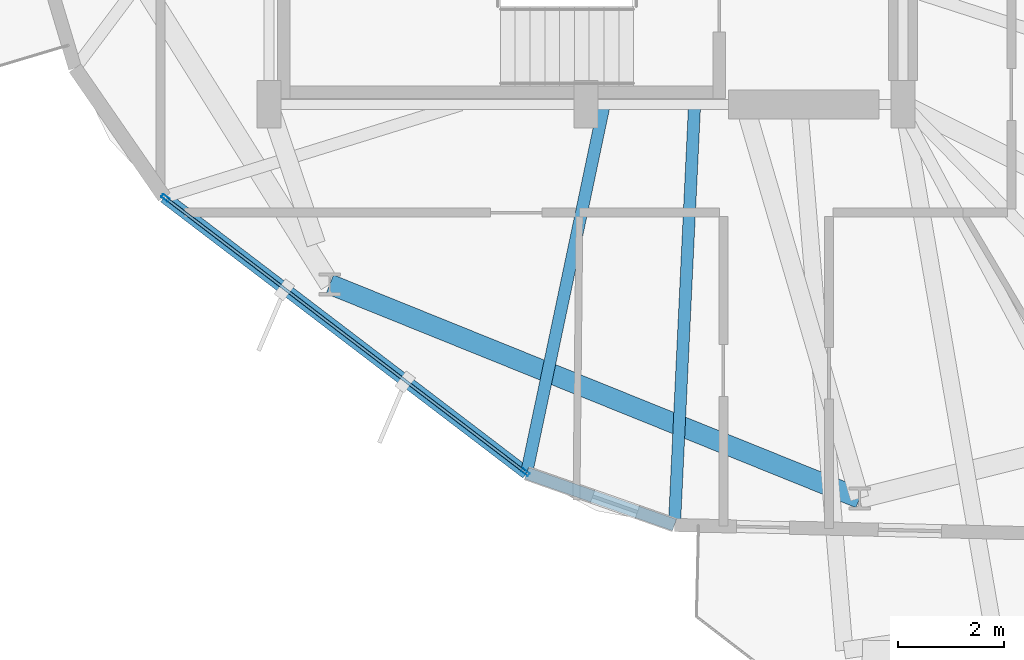
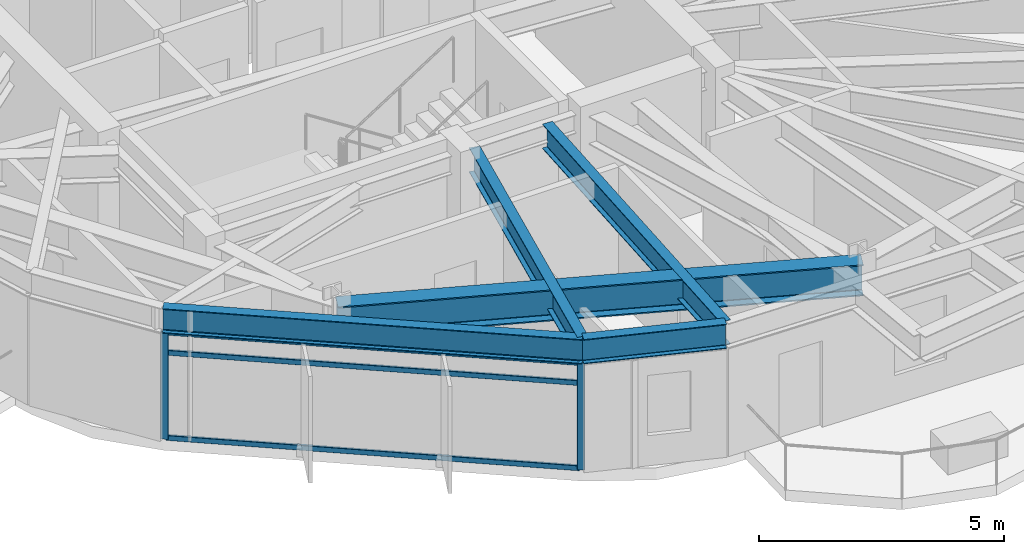
# One storey, part 2 of 22: 5 beams, 5 members, 1 element without a shape of its own.
"""IFC4 building model written with IfcOpenShell, lengths in metres."""

from ifc_helpers import new_model, si_unit, direction, frame, origin, origin_2d, place, context, subcontext, project, spatial, hollow_rectangle, i_section, extrude, material, layer, layer_set, material_profile, profile_set, type_object, element, aggregate, save


model = new_model("IFC4")

# Units and contexts
model_context = context("Model", 3, precision=1e-05, world=origin(), true_north=direction((0.0, 1.0)))
body_context = subcontext(model_context, "Body", "Model", "MODEL_VIEW")
ifc_project = project(units=[si_unit("LENGTHUNIT", "METRE"), si_unit("AREAUNIT", "SQUARE_METRE"), si_unit("VOLUMEUNIT", "CUBIC_METRE"), si_unit("PLANEANGLEUNIT", "RADIAN"), si_unit("MASSUNIT", "GRAM", prefix="KILO")], contexts=[model_context])

# Site, building, storey
site_placement = place(None, origin())
site = spatial("IfcSite", under=ifc_project, at=site_placement, CompositionType="ELEMENT")
building_placement = place(site_placement, origin())
building = spatial("IfcBuilding", under=site, at=building_placement, Name="Soratama Intermodal Tower", CompositionType="ELEMENT")
storey_placement = place(building_placement, frame((0.0, 0.0, 160.60009765625)))
storey = spatial("IfcBuildingStorey", under=building, at=storey_placement, Name="L39", CompositionType="ELEMENT", Elevation=160.60009765625)

# Beams
ifc_material_1 = material(Name="Structural steel ASTM A992 Grade 50", Category="steel")
ifc_material_profile_1 = material_profile(ifc_material_1, i_section(OverallWidth=0.382080078125, OverallDepth=0.779052734375, WebThickness=0.01806640625, FlangeThickness=0.030029296875, FilletRadius=0.01806640625, at=origin_2d()), Name="W30X191")
ifc_profile_set_1 = profile_set([ifc_material_profile_1], Name="Structural steel ASTM A992 Grade 50")
beam_type_1 = type_object("IfcBeamType", Name="BM-RING-W30X191", PredefinedType="BEAM", material=ifc_profile_set_1)
beam_1_placement = place(storey_placement, frame((33.7509765625, 11.593994140625, 2.910400390625), z_axis=(0.927202491827, -0.374560461275, 0.0), x_axis=(0.374560461275, 0.927202491827, 0.0)))
element("IfcBeam", 1, at=beam_1_placement, inside=storey, type_object=beam_type_1, Name="BM-L39-RING-07", PredefinedType="BEAM", context=body_context, shape_type="SweptSolid", body=[
    extrude(i_section(OverallWidth=0.382080078125, OverallDepth=0.779052734375, WebThickness=0.01806640625, FlangeThickness=0.030029296875, FilletRadius=0.01806640625, at=origin_2d()), origin(), (0.0, 0.0, 1.0), 10.8154296875),
])
ifc_material_2 = material(Name="Structural steel ASTM A992 Grade 50", Category="steel")
ifc_material_profile_2 = material_profile(ifc_material_2, i_section(OverallWidth=0.22900390625, OverallDepth=0.612060546875, WebThickness=0.011962890625, FlangeThickness=0.01953125, FilletRadius=0.012939453125, at=origin_2d()), Name="W24X84")
ifc_profile_set_2 = profile_set([ifc_material_profile_2], Name="Structural steel ASTM A992 Grade 50")
beam_type_2 = type_object("IfcBeamType", Name="BM-SPN-W24X84", PredefinedType="SPANDREL", material=ifc_profile_set_2)
beam_2_placement = place(storey_placement, frame((30.617919921875, 13.2451171875, 2.993896484375), z_axis=(0.795290000243, -0.606229177385, 0.0), x_axis=(0.606229177385, 0.795290000243, 0.0)))
element("IfcBeam", 2, at=beam_2_placement, inside=storey, type_object=beam_type_2, Name="BS-L39-F06", PredefinedType="SPANDREL", context=body_context, shape_type="SweptSolid", body=[
    extrude(i_section(OverallWidth=0.22900390625, OverallDepth=0.612060546875, WebThickness=0.011962890625, FlangeThickness=0.01953125, FilletRadius=0.012939453125, at=origin_2d()), origin(), (0.0, 0.0, 1.0), 8.622314453125),
])
beam_3_placement = place(storey_placement, frame((37.47509765625, 8.01806640625, 2.993896484375), z_axis=(0.943714528164, -0.330761075904, 0.0), x_axis=(0.330761075904, 0.943714528164, 0.0)))
element("IfcBeam", 3, at=beam_3_placement, inside=storey, type_object=beam_type_2, Name="BS-L39-CRN06", PredefinedType="SPANDREL", context=body_context, shape_type="SweptSolid", body=[
    extrude(i_section(OverallWidth=0.22900390625, OverallDepth=0.612060546875, WebThickness=0.011962890625, FlangeThickness=0.01953125, FilletRadius=0.012939453125, at=origin_2d()), origin(), (0.0, 0.0, 1.0), 2.9658203125),
])
ifc_material_3 = material(Name="Structural steel ASTM A992 Grade 50", Category="steel")
ifc_material_profile_3 = material_profile(ifc_material_3, i_section(OverallWidth=0.22900390625, OverallDepth=0.612060546875, WebThickness=0.011962890625, FlangeThickness=0.01953125, FilletRadius=0.012939453125, at=origin_2d()), Name="W24X84")
ifc_profile_set_3 = profile_set([ifc_material_profile_3], Name="Structural steel ASTM A992 Grade 50")
beam_type_3 = type_object("IfcBeamType", Name="BM-TIE-W24X84", PredefinedType="BEAM", material=ifc_profile_set_3)
beam_4_placement = place(storey_placement, frame((38.93798828125, 14.9609375, 2.993896484375), z_axis=(-0.206176954132, -0.978514723233, 0.0), x_axis=(0.978514723233, -0.206176954132, 0.0)))
element("IfcBeam", 4, at=beam_4_placement, inside=storey, type_object=beam_type_3, Name="BM-L39-TIE1-06", PredefinedType="BEAM", context=body_context, shape_type="SweptSolid", body=[
    extrude(i_section(OverallWidth=0.22900390625, OverallDepth=0.612060546875, WebThickness=0.011962890625, FlangeThickness=0.01953125, FilletRadius=0.012939453125, at=origin_2d()), origin(), (0.0, 0.0, 1.0), 7.09521484375),
])
beam_5_placement = place(storey_placement, frame((40.653076171875, 14.9599609375, 2.993896484375), z_axis=(-0.047800590511, -0.998856898433, 0.0), x_axis=(0.998856898433, -0.047800590511, 0.0)))
element("IfcBeam", 5, at=beam_5_placement, inside=storey, type_object=beam_type_3, Name="BM-L39-TIE0-07", PredefinedType="BEAM", context=body_context, shape_type="SweptSolid", body=[
    extrude(i_section(OverallWidth=0.22900390625, OverallDepth=0.612060546875, WebThickness=0.011962890625, FlangeThickness=0.01953125, FilletRadius=0.012939453125, at=origin_2d()), origin(), (0.0, 0.0, 1.0), 7.931884765625),
])

# Curtain wall, members
ifc_material_4 = material(Name="Double-glazed aluminium curtain wall", Category="aluminium")
ifc_layer = layer(ifc_material_4, 0.159912109375)
ifc_layer_set = layer_set([ifc_layer], Name="Double-glazed aluminium curtain wall")
curtain_wall_type = type_object("IfcCurtainWallType", Name="CW-SYS-4", PredefinedType="NOTDEFINED", material=ifc_layer_set)
curtain_wall_placement = place(storey_placement, origin())
curtain_wall = element("IfcCurtainWall", 6, at=curtain_wall_placement, inside=storey, type_object=curtain_wall_type, Name="L39 Faceted Curtain Wall F06", PredefinedType="NOTDEFINED")
ifc_material_5 = material(Name="Anodised aluminium AA 6063-T6", Category="aluminium")
ifc_material_profile_4 = material_profile(ifc_material_5, hollow_rectangle(XDim=0.070068359375, YDim=0.159912109375, WallThickness=0.0048828125, InnerFilletRadius=0.0048828125, OuterFilletRadius=0.010009765625, at=origin_2d()), Name="CWM160X70X5")
ifc_profile_set_4 = profile_set([ifc_material_profile_4], Name="Anodised aluminium AA 6063-T6")
member_type_1 = type_object("IfcMemberType", Name="MT-CWM-4", PredefinedType="MULLION", material=ifc_profile_set_4)
member_1_placement = place(storey_placement, frame((30.64208984375, 13.227294921875, 0.0), z_axis=(0.0, 0.0, 1.0), x_axis=(0.606268942979, 0.795259686379, 0.0)))
member_1 = element("IfcMember", 7, at=member_1_placement, type_object=member_type_1, Name="CW-4 mullion 1", PredefinedType="MULLION", context=body_context, shape_type="SweptSolid", body=[
    extrude(hollow_rectangle(XDim=0.070068359375, YDim=0.159912109375, WallThickness=0.0048828125, InnerFilletRadius=0.0048828125, OuterFilletRadius=0.010009765625, at=origin_2d()), origin(), (0.0, 0.0, 1.0), 2.678955078125),
])
member_2_placement = place(storey_placement, frame((37.450927734375, 8.03662109375, 0.0), z_axis=(0.0, 0.0, 1.0), x_axis=(0.606268942979, 0.795259686379, 0.0)))
member_2 = element("IfcMember", 8, at=member_2_placement, type_object=member_type_1, Name="CW-4 mullion 2", PredefinedType="MULLION", context=body_context, shape_type="SweptSolid", body=[
    extrude(hollow_rectangle(XDim=0.070068359375, YDim=0.159912109375, WallThickness=0.0048828125, InnerFilletRadius=0.0048828125, OuterFilletRadius=0.010009765625, at=origin_2d()), origin(), (0.0, 0.0, 1.0), 2.678955078125),
])
ifc_material_6 = material(Name="Anodised aluminium AA 6063-T6", Category="aluminium")
ifc_material_profile_5 = material_profile(ifc_material_6, hollow_rectangle(XDim=0.06005859375, YDim=0.1298828125, WallThickness=0.0048828125, InnerFilletRadius=0.0048828125, OuterFilletRadius=0.010009765625, at=origin_2d()), Name="CWT130X60X5")
ifc_profile_set_5 = profile_set([ifc_material_profile_5], Name="Anodised aluminium AA 6063-T6")
member_type_2 = type_object("IfcMemberType", Name="TT-CWT-2", PredefinedType="USERDEFINED", material=ifc_profile_set_5)
member_3_placement = place(storey_placement, frame((30.666015625, 13.208984375, 0.02978515625), z_axis=(0.795257655287, -0.606271607208, 0.0), x_axis=(0.606271607208, 0.795257655287, 0.0)))
member_3 = element("IfcMember", 9, at=member_3_placement, type_object=member_type_2, Name="CW-4 transom 1.1", ObjectType="TRANSOM", PredefinedType="USERDEFINED", context=body_context, shape_type="SweptSolid", body=[
    extrude(hollow_rectangle(XDim=0.06005859375, YDim=0.1298828125, WallThickness=0.0048828125, InnerFilletRadius=0.0048828125, OuterFilletRadius=0.010009765625, at=origin_2d()), origin(), (0.0, 0.0, 1.0), 8.501708984375),
])
member_4_placement = place(storey_placement, frame((30.666015625, 13.208984375, 2.14990234375), z_axis=(0.795257655287, -0.606271607208, 0.0), x_axis=(0.606271607208, 0.795257655287, 0.0)))
member_4 = element("IfcMember", 10, at=member_4_placement, type_object=member_type_2, Name="CW-4 transom 1.2", ObjectType="TRANSOM", PredefinedType="USERDEFINED", context=body_context, shape_type="SweptSolid", body=[
    extrude(hollow_rectangle(XDim=0.06005859375, YDim=0.1298828125, WallThickness=0.0048828125, InnerFilletRadius=0.0048828125, OuterFilletRadius=0.010009765625, at=origin_2d()), origin(), (0.0, 0.0, 1.0), 8.501708984375),
])
member_5_placement = place(storey_placement, frame((30.666015625, 13.208984375, 2.64892578125), z_axis=(0.795257655287, -0.606271607208, 0.0), x_axis=(0.606271607208, 0.795257655287, 0.0)))
member_5 = element("IfcMember", 11, at=member_5_placement, type_object=member_type_2, Name="CW-4 transom 1.3", ObjectType="TRANSOM", PredefinedType="USERDEFINED", context=body_context, shape_type="SweptSolid", body=[
    extrude(hollow_rectangle(XDim=0.06005859375, YDim=0.1298828125, WallThickness=0.0048828125, InnerFilletRadius=0.0048828125, OuterFilletRadius=0.010009765625, at=origin_2d()), origin(), (0.0, 0.0, 1.0), 8.501708984375),
])
aggregate(curtain_wall, [member_1, member_2, member_3, member_4, member_5])

save(model, "model.ifc")
